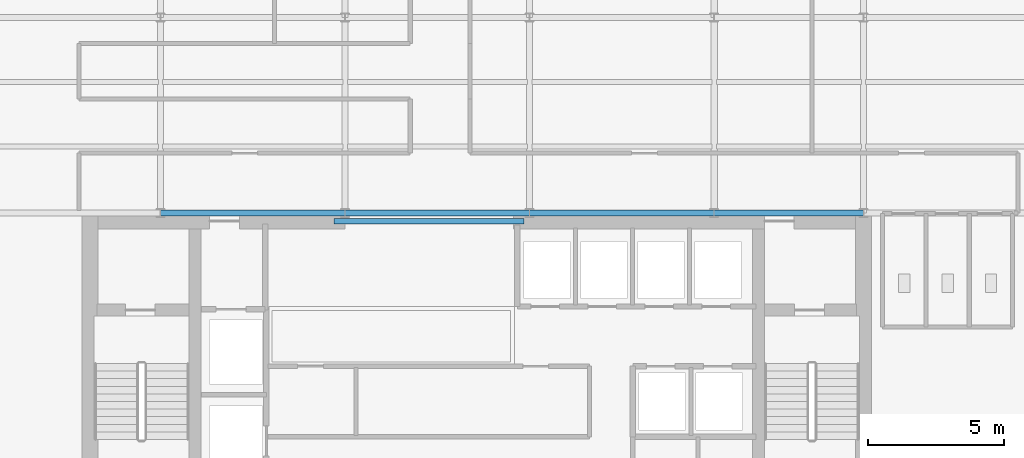
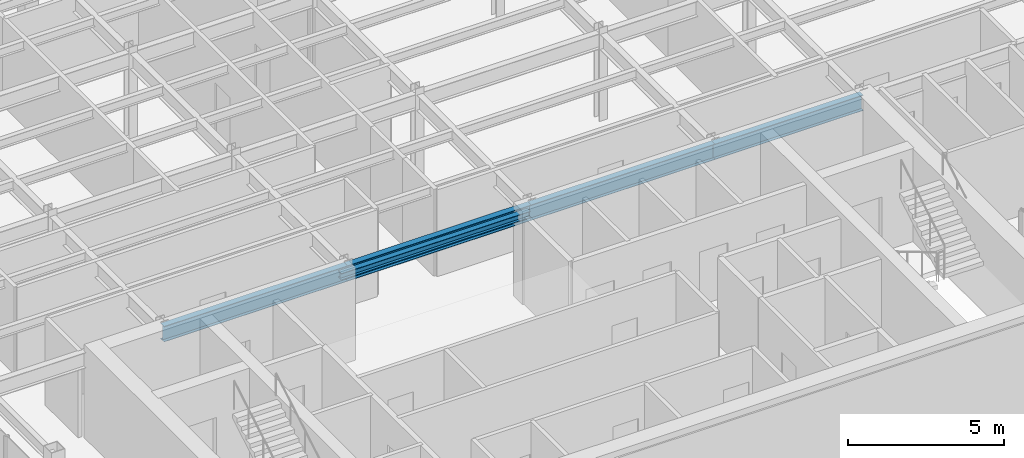
# One storey, part 4 of 22: 5 beams.
"""IFC4 building model written with IfcOpenShell, lengths in metres."""

from ifc_helpers import new_model, si_unit, derived_unit, direction, frame, origin, origin_2d, place, context, subcontext, project, spatial, i_section, extrude, source, transform, mapped, material, material_profile, profile_set, type_object, element, save


model = new_model("IFC4")

# Units and contexts
model_context = context("Model", 3, precision=1e-05, world=origin(), true_north=direction((0.0, 1.0)))
body_context = subcontext(model_context, "Body", "Model", "MODEL_VIEW")
ifc_project = project(units=[si_unit("LENGTHUNIT", "METRE"), si_unit("AREAUNIT", "SQUARE_METRE"), si_unit("VOLUMEUNIT", "CUBIC_METRE"), si_unit("PLANEANGLEUNIT", "RADIAN"), si_unit("MASSUNIT", "GRAM", prefix="KILO"), derived_unit("THERMALTRANSMITTANCEUNIT", [(si_unit("POWERUNIT", "WATT"), 1), (si_unit("LENGTHUNIT", "METRE"), -2), (si_unit("THERMODYNAMICTEMPERATUREUNIT", "KELVIN"), -1)])], contexts=[model_context])

# Site, building, storey
site_placement = place(None, origin())
site = spatial("IfcSite", under=ifc_project, at=site_placement, CompositionType="ELEMENT")
building_placement = place(site_placement, origin())
building = spatial("IfcBuilding", under=site, at=building_placement, Name="Skarnbrae Concourse Arena and Tower", CompositionType="ELEMENT")
storey_placement = place(building_placement, frame((0.0, 0.0, 206.85009765625)))
storey = spatial("IfcBuildingStorey", under=building, at=storey_placement, Name="L53", CompositionType="ELEMENT", Elevation=206.85009765625)

# Beams
ifc_material = material(Name="Steel CSA G40.21 350W", Category="steel")
ifc_material_profile_1 = material_profile(ifc_material, i_section(OverallWidth=0.202880859375, OverallDepth=0.251953125, WebThickness=0.008056640625, FlangeThickness=0.013427734375, at=origin_2d()), Name="W250X58")
ifc_profile_set_1 = profile_set([ifc_material_profile_1], Name="Steel CSA G40.21 350W")
beam_type_1 = type_object("IfcBeamType", Name="BM-LINTEL-W250X58", PredefinedType="LINTEL", material=ifc_profile_set_1)
shared_shape_1 = source(origin(), body_context, "Body", "SweptSolid", [
    extrude(i_section(OverallWidth=0.202880859375, OverallDepth=0.251953125, WebThickness=0.008056640625, FlangeThickness=0.013427734375, at=origin_2d()), origin(), (0.0, 0.0, 1.0), 7.0),
])
beam_1_placement = place(storey_placement, frame((14.0, 13.699951171875, 3.27392578125), z_axis=(1.0, 0.0, 0.0), x_axis=(0.0, 1.0, 0.0)))
element("IfcBeam", 1, at=beam_1_placement, inside=storey, type_object=beam_type_1, Name="L53 Core portal coupling lintel", PredefinedType="LINTEL", context=body_context, shape_type="MappedRepresentation", body=[
    mapped(shared_shape_1, transform((0.0, 0.0, 0.0))),
])
ifc_material_profile_2 = material_profile(ifc_material, i_section(OverallWidth=0.22802734375, OverallDepth=0.60791015625, WebThickness=0.01123046875, FlangeThickness=0.017333984375, at=origin_2d()), Name="W610X113")
ifc_profile_set_2 = profile_set([ifc_material_profile_2], Name="Steel CSA G40.21 350W")
beam_type_2 = type_object("IfcBeamType", Name="BM-GIRD-W610X113", PredefinedType="BEAM", material=ifc_profile_set_2)
shared_shape_2 = source(origin(), body_context, "Body", "SweptSolid", [
    extrude(i_section(OverallWidth=0.22802734375, OverallDepth=0.60791015625, WebThickness=0.01123046875, FlangeThickness=0.017333984375, at=origin_2d()), origin(), (0.0, 0.0, 1.0), 6.7998046875),
])
beam_2_placement = place(storey_placement, frame((7.60009765625, 14.0, 3.095947265625), z_axis=(1.0, 0.0, 0.0), x_axis=(0.0, 1.0, 0.0)))
element("IfcBeam", 2, at=beam_2_placement, inside=storey, type_object=beam_type_2, Name="L53 Primary E-W girder Y14.0-2", PredefinedType="BEAM", context=body_context, shape_type="MappedRepresentation", body=[
    mapped(shared_shape_2, transform((0.0, 0.0, 0.0))),
])
shared_shape_3 = source(origin(), body_context, "Body", "SweptSolid", [
    extrude(i_section(OverallWidth=0.22802734375, OverallDepth=0.60791015625, WebThickness=0.01123046875, FlangeThickness=0.017333984375, at=origin_2d()), origin(), (0.0, 0.0, 1.0), 6.800048828125),
])
for number, where, z_axis, x_axis, name in (
    (3, (14.39990234375, 14.0, 3.095947265625), (1.0, 0.0, 0.0), (0.0, 1.0, 0.0), "L53 Primary E-W girder Y14.0-3"),
    (4, (21.199951171875, 14.0, 3.095947265625), (1.0, 0.0, 0.0), (0.0, 1.0, 0.0), "L53 Primary E-W girder Y14.0-4"),
):
    element("IfcBeam", number, at=place(storey_placement, frame(where, z_axis=z_axis, x_axis=x_axis)), inside=storey, type_object=beam_type_2, Name=name, PredefinedType="BEAM", context=body_context, shape_type="MappedRepresentation", body=[
        mapped(shared_shape_3, transform((0.0, 0.0, 0.0))),
    ])
shared_shape_4 = source(origin(), body_context, "Body", "SweptSolid", [
    extrude(i_section(OverallWidth=0.22802734375, OverallDepth=0.60791015625, WebThickness=0.01123046875, FlangeThickness=0.017333984375, at=origin_2d()), origin(), (0.0, 0.0, 1.0), 5.5),
])
beam_3_placement = place(storey_placement, frame((28.0, 14.0, 3.095947265625), z_axis=(1.0, 0.0, 0.0), x_axis=(0.0, 1.0, 0.0)))
element("IfcBeam", 5, at=beam_3_placement, inside=storey, type_object=beam_type_2, Name="L53 Primary E-W girder Y14.0-5", PredefinedType="BEAM", context=body_context, shape_type="MappedRepresentation", body=[
    mapped(shared_shape_4, transform((0.0, 0.0, 0.0))),
])

save(model, "model.ifc")
